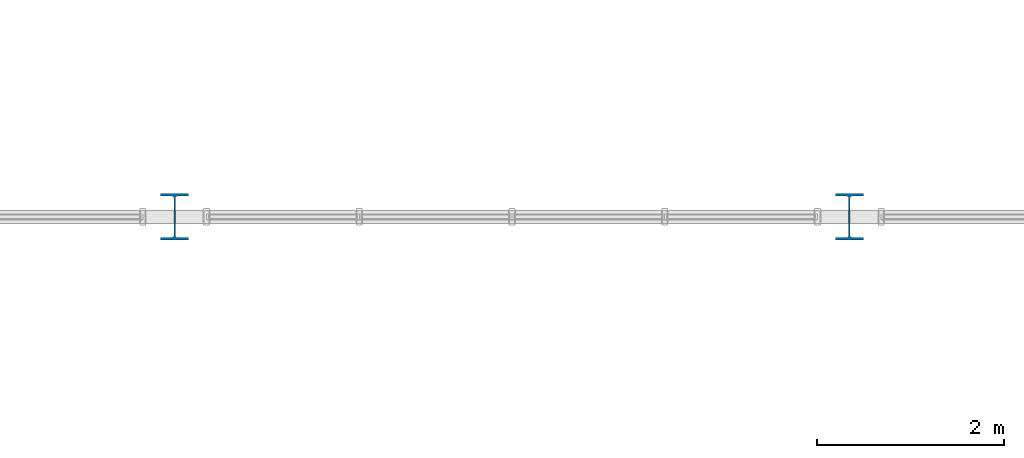
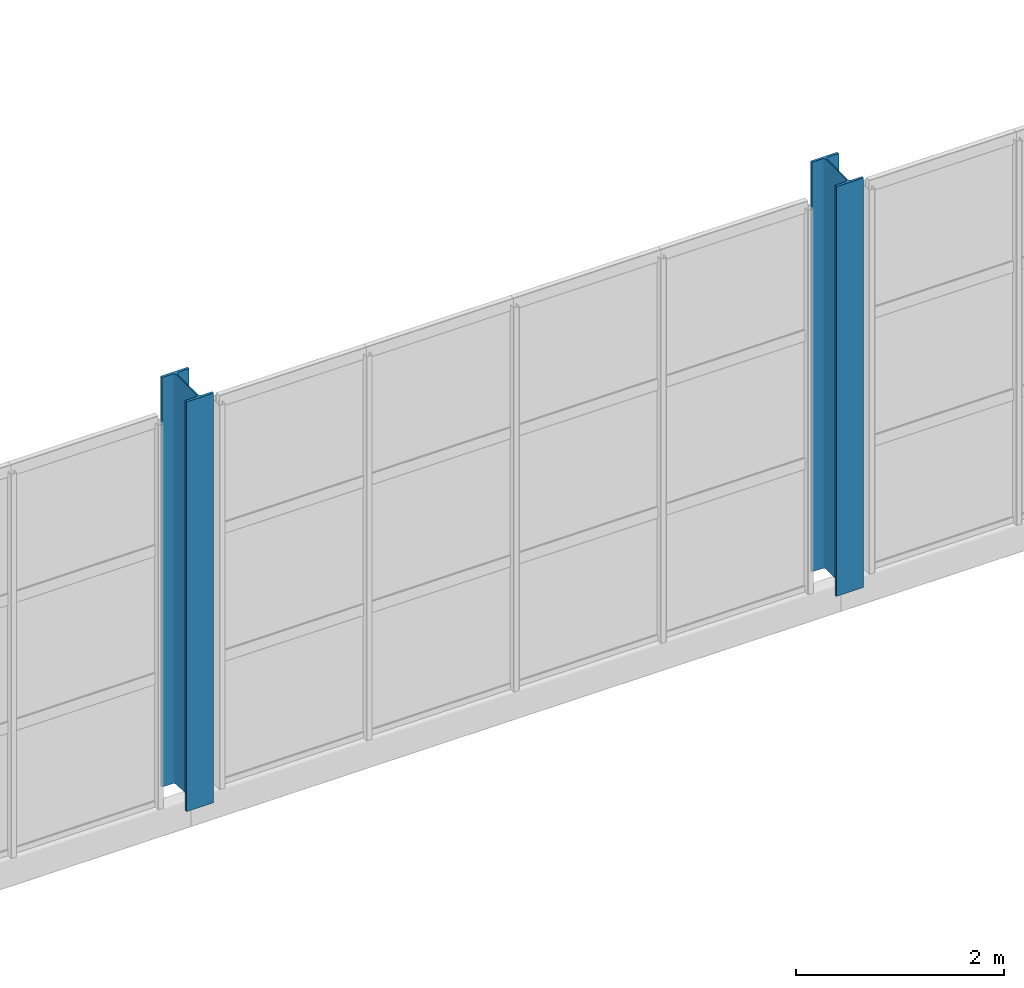
# One storey, part 4 of 143: 2 columns.
"""IFC4 building model written with IfcOpenShell, lengths in metres."""

from ifc_helpers import new_model, si_unit, derived_unit, direction, frame, origin, origin_2d, place, context, subcontext, project, spatial, i_section, extrude, material, material_profile, profile_set, type_object, element, save


model = new_model("IFC4")

# Units and contexts
model_context = context("Model", 3, precision=1e-05, world=origin(), true_north=direction((0.0, 1.0)))
body_context = subcontext(model_context, "Body", "Model", "MODEL_VIEW")
ifc_project = project(units=[si_unit("LENGTHUNIT", "METRE"), si_unit("AREAUNIT", "SQUARE_METRE"), si_unit("VOLUMEUNIT", "CUBIC_METRE"), si_unit("PLANEANGLEUNIT", "RADIAN"), si_unit("MASSUNIT", "GRAM", prefix="KILO"), derived_unit("THERMALTRANSMITTANCEUNIT", [(si_unit("POWERUNIT", "WATT"), 1), (si_unit("LENGTHUNIT", "METRE"), -2), (si_unit("THERMODYNAMICTEMPERATUREUNIT", "KELVIN"), -1)])], contexts=[model_context])

# Site, building, storey
site_placement = place(None, origin())
site = spatial("IfcSite", under=ifc_project, at=site_placement, CompositionType="ELEMENT")
building_placement = place(site_placement, origin())
building = spatial("IfcBuilding", under=site, at=building_placement, Name="Keldorne Ridge Multi-Sports Centre", CompositionType="ELEMENT")
storey_placement = place(building_placement, frame((0.0, 0.0, 4.800048828125)))
storey = spatial("IfcBuildingStorey", under=building, at=storey_placement, Name="L01", CompositionType="ELEMENT", Elevation=4.800048828125)

# Columns
ifc_material = material(Name="Steel S355", Category="steel")
ifc_material_profile = material_profile(ifc_material, i_section(OverallWidth=0.300048828125, OverallDepth=0.5, WebThickness=0.014404296875, FlangeThickness=0.028076171875, FilletRadius=0.027099609375, at=origin_2d()), Name="HEB 500")
ifc_profile_set = profile_set([ifc_material_profile], Name="Steel S355")
column_type = type_object("IfcColumnType", Name="COL-C-05", PredefinedType="COLUMN", material=ifc_profile_set)
for number, where, z_axis, x_axis, name in (
    (1, (56.39990234375, 54.0, 0.0), (0.0, 0.0, 1.0), (1.0, 0.0, 0.0), "Structural column V1-HALL-N-08 on L01"),
    (2, (63.60009765625, 54.0, 0.0), (0.0, 0.0, 1.0), (1.0, 0.0, 0.0), "Structural column V1-HALL-N-09 on L01"),
):
    element("IfcColumn", number, at=place(storey_placement, frame(where, z_axis=z_axis, x_axis=x_axis)), inside=storey, type_object=column_type, Name=name, PredefinedType="COLUMN", context=body_context, shape_type="SweptSolid", body=[
        extrude(i_section(OverallWidth=0.300048828125, OverallDepth=0.5, WebThickness=0.014404296875, FlangeThickness=0.028076171875, FilletRadius=0.027099609375, at=origin_2d()), origin(), (0.0, 0.0, 1.0), 4.800048828125),
    ])

save(model, "model.ifc")
